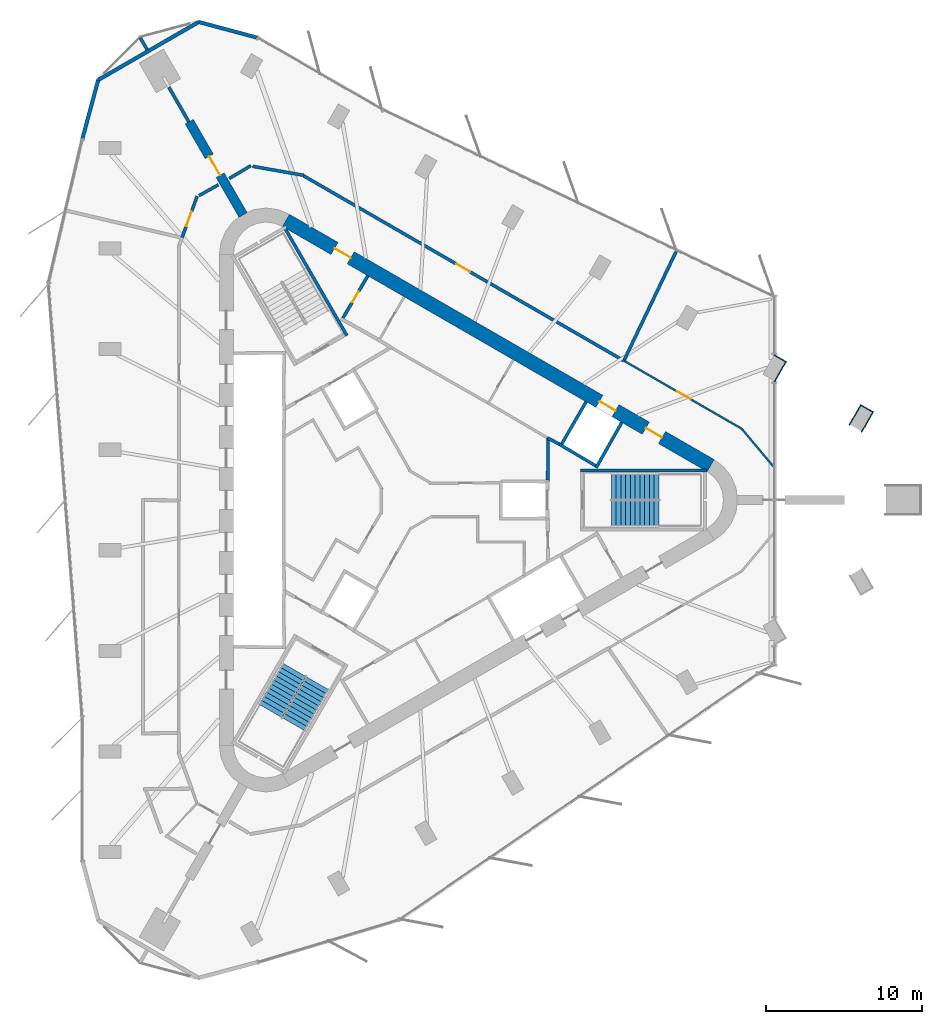
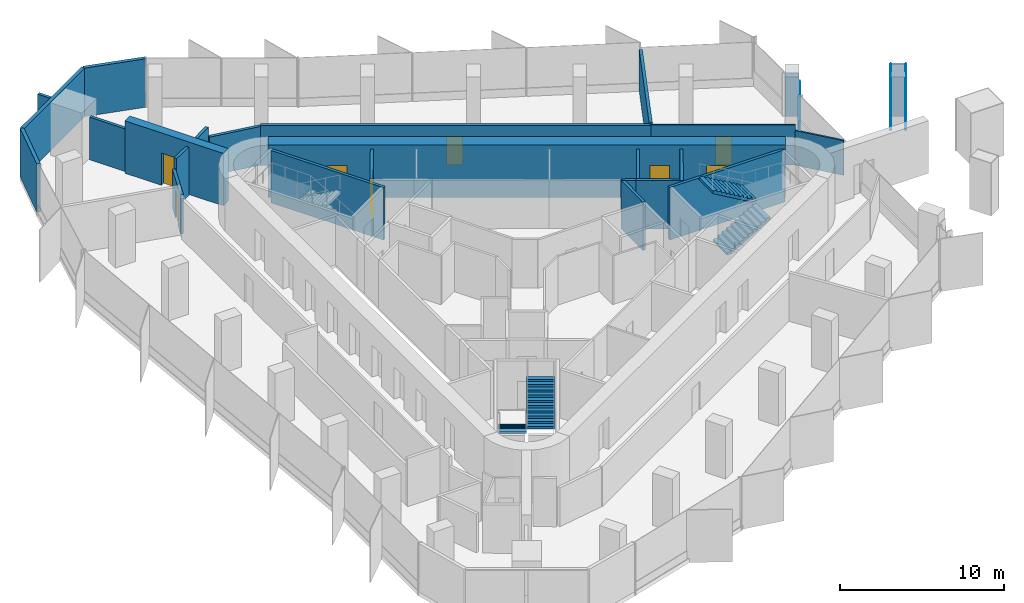
# One storey, part 10 of 12: 28 walls, 8 doors, 4 stair flights, 8 openings, 2 elements without a shape of their own.
"""IFC4 building model written with IfcOpenShell, lengths in metres."""

from ifc_helpers import new_model, si_unit, direction, frame, frame_2d, origin, place, context, subcontext, project, spatial, polyline, rectangle, outline, extrude, material, layer, layer_set, type_object, element, fill, aggregate, save


model = new_model("IFC4")

# Units and contexts
model_context = context("Model", 3, precision=1e-05, world=origin(), true_north=direction((0.0, 1.0)))
body_context = subcontext(model_context, "Body", "Model", "MODEL_VIEW")
ifc_project = project(units=[si_unit("LENGTHUNIT", "METRE"), si_unit("AREAUNIT", "SQUARE_METRE"), si_unit("VOLUMEUNIT", "CUBIC_METRE"), si_unit("PLANEANGLEUNIT", "RADIAN"), si_unit("MASSUNIT", "GRAM", prefix="KILO")], contexts=[model_context])

# Site, building, storey
site_placement = place(None, origin())
site = spatial("IfcSite", under=ifc_project, at=site_placement, CompositionType="ELEMENT")
building_placement = place(site_placement, origin())
building = spatial("IfcBuilding", under=site, at=building_placement, Name="Tanit Gate Tower", CompositionType="ELEMENT")
storey_placement = place(building_placement, frame((0.0, 0.0, 368.89990234375)))
storey = spatial("IfcBuildingStorey", under=building, at=storey_placement, Name="L84", CompositionType="ELEMENT", Elevation=368.89990234375)

# Wall, opening, door
ifc_material_1 = material(Name="Concrete C40/50", Category="concrete")
ifc_layer_1 = layer(ifc_material_1, 0.60009765625)
ifc_layer_set_1 = layer_set([ifc_layer_1], Name="BUTTRESS FIN 600 C40/50")
wall_type_1 = type_object("IfcWallType", Name="BUTTRESS FIN 600 C40/50", PredefinedType="SHEAR", material=ifc_layer_set_1)
wall_1_placement = place(storey_placement, frame((-10.574951171875, 18.31640625, 0.0), z_axis=(0.0, 0.0, 1.0), x_axis=(-0.499997253739, 0.866026989333, 0.0)))
wall_1 = element("IfcWall", 1, at=wall_1_placement, inside=storey, type_object=wall_type_1, Name="BUTTRESS FIN", PredefinedType="SHEAR", context=body_context, shape_type="SweptSolid", body=[
    extrude(rectangle(XDim=6.92138671875, YDim=0.60009765625, at=frame_2d((3.460693359375, 0.0))), origin(), (0.0, 0.0, 1.0), 3.900146484375),
])
opening_1_placement = place(wall_1_placement, frame((2.949951171875, 0.0, 0.0)))
opening_1 = element("IfcOpeningElement", 2, at=opening_1_placement, cuts=wall_1, Name="Opening P14-84-F-NW-1", PredefinedType="OPENING", context=body_context, shape_type="SweptSolid", body=[
    extrude(rectangle(XDim=1.39990234375, YDim=2.39990234375, at=frame_2d((0.699951171875, 1.199951171875))), frame((0.0, 0.31005859375, 0.0), z_axis=(0.0, -1.0, 0.0), x_axis=(1.0, 0.0, 0.0)), (0.0, 0.0, 1.0), 0.6201171875),
])
ifc_material_2 = material(Name="Timber door leaf", Category="wood")
door_type_1 = type_object("IfcDoorType", Name="INT-DOOR-FIN-PAIR-1400", OperationType="NOTDEFINED", PredefinedType="NOTDEFINED", material=ifc_material_2)
door_1_placement = place(opening_1_placement, origin())
door_1 = element("IfcDoor", 3, at=door_1_placement, inside=storey, type_object=door_type_1, Name="Door P14-84-F-NW-1", OperationType="DOUBLE_DOOR_SINGLE_SWING", OverallHeight=2.39990234375, OverallWidth=1.39990234375, PredefinedType="NOTDEFINED", context=body_context, shape_type="SweptSolid", body=[
    extrude(rectangle(XDim=1.39990234375, YDim=2.39990234375, at=frame_2d((0.699951171875, 1.199951171875))), frame((0.0, 0.02490234375, 0.0), z_axis=(0.0, -1.0, 0.0), x_axis=(1.0, 0.0, 0.0)), (0.0, 0.0, 1.0), 0.050048828125),
])
fill(opening_1, door_1)

# Wall, openings, doors
ifc_material_3 = material(Name="Concrete C40/50", Category="concrete")
ifc_layer_2 = layer(ifc_material_3, 0.89990234375)
ifc_layer_set_2 = layer_set([ifc_layer_2], Name="CORE WALL 900 C40/50")
wall_type_2 = type_object("IfcWallType", Name="CORE WALL 900 C40/50", PredefinedType="SHEAR", material=ifc_layer_set_2)
wall_2_placement = place(storey_placement, frame((19.47509765625, 2.20849609375, 0.0), z_axis=(0.0, 0.0, 1.0), x_axis=(-0.866028369851, 0.499994862586, 0.0)))
wall_2 = element("IfcWall", 4, at=wall_2_placement, inside=storey, type_object=wall_type_2, Name="CORE WALL", PredefinedType="SHEAR", context=body_context, shape_type="SweptSolid", body=[
    extrude(rectangle(XDim=31.523193359375, YDim=0.89990234375, at=frame_2d((15.76171875, 0.0))), origin(), (0.0, 0.0, 1.0), 3.900146484375),
])
opening_2_placement = place(wall_2_placement, frame((7.0615234375, 0.0, 0.0)))
opening_2 = element("IfcOpeningElement", 5, at=opening_2_placement, cuts=wall_2, Name="Opening LDHL8-84", PredefinedType="OPENING", context=body_context, shape_type="SweptSolid", body=[
    extrude(rectangle(XDim=1.199951171875, YDim=2.39990234375, at=frame_2d((0.60009765625, 1.199951171875))), frame((0.0, 0.4599609375, 0.0), z_axis=(0.0, -1.0, 0.0), x_axis=(1.0, 0.0, 0.0)), (0.0, 0.0, 1.0), 0.919921875),
])
opening_3_placement = place(wall_2_placement, frame((3.611572265625, 0.0, 0.0)))
opening_3 = element("IfcOpeningElement", 6, at=opening_3_placement, cuts=wall_2, Name="Opening F12-84-FL1", PredefinedType="OPENING", context=body_context, shape_type="SweptSolid", body=[
    extrude(rectangle(XDim=1.199951171875, YDim=2.39990234375, at=frame_2d((0.60009765625, 1.199951171875))), frame((0.0, 0.4599609375, 0.0), z_axis=(0.0, -1.0, 0.0), x_axis=(1.0, 0.0, 0.0)), (0.0, 0.0, 1.0), 0.919921875),
])
opening_4_placement = place(wall_2_placement, frame((26.711669921875, 0.0, 0.0)))
opening_4 = element("IfcOpeningElement", 7, at=opening_4_placement, cuts=wall_2, Name="Opening F12-84-S2", PredefinedType="OPENING", context=body_context, shape_type="SweptSolid", body=[
    extrude(rectangle(XDim=1.199951171875, YDim=2.39990234375, at=frame_2d((0.60009765625, 1.199951171875))), frame((0.0, 0.4599609375, 0.0), z_axis=(0.0, -1.0, 0.0), x_axis=(1.0, 0.0, 0.0)), (0.0, 0.0, 1.0), 0.919921875),
])
ifc_material_4 = material(Name="Fire-rated steel door leaf", Category="steel")
door_type_2 = type_object("IfcDoorType", Name="INT-DOOR-FIRE-LOBBY-1200", OperationType="NOTDEFINED", PredefinedType="USERDEFINED", material=ifc_material_4)
door_2_placement = place(opening_3_placement, origin())
door_2 = element("IfcDoor", 8, at=door_2_placement, inside=storey, type_object=door_type_2, Name="Door F12-84-FL1", ObjectType="FIRE DOOR", OperationType="SINGLE_SWING_LEFT", OverallHeight=2.39990234375, OverallWidth=1.199951171875, PredefinedType="USERDEFINED", context=body_context, shape_type="SweptSolid", body=[
    extrude(rectangle(XDim=1.199951171875, YDim=2.39990234375, at=frame_2d((0.60009765625, 1.199951171875))), frame((0.0, 0.02490234375, 0.0), z_axis=(0.0, -1.0, 0.0), x_axis=(1.0, 0.0, 0.0)), (0.0, 0.0, 1.0), 0.050048828125),
])
fill(opening_3, door_2)
door_3_placement = place(opening_4_placement, origin())
door_3 = element("IfcDoor", 9, at=door_3_placement, inside=storey, type_object=door_type_2, Name="Door F12-84-S2", ObjectType="FIRE DOOR", OperationType="SINGLE_SWING_LEFT", OverallHeight=2.39990234375, OverallWidth=1.199951171875, PredefinedType="USERDEFINED", context=body_context, shape_type="SweptSolid", body=[
    extrude(rectangle(XDim=1.199951171875, YDim=2.39990234375, at=frame_2d((0.60009765625, 1.199951171875))), frame((0.0, 0.02490234375, 0.0), z_axis=(0.0, -1.0, 0.0), x_axis=(1.0, 0.0, 0.0)), (0.0, 0.0, 1.0), 0.050048828125),
])
fill(opening_4, door_3)
ifc_material_5 = material(Name="Stainless steel sliding door leaf", Category="steel")
door_type_3 = type_object("IfcDoorType", Name="INT-DOOR-LANDING-1200", OperationType="NOTDEFINED", PredefinedType="USERDEFINED", material=ifc_material_5)
door_4_placement = place(opening_2_placement, origin())
door_4 = element("IfcDoor", 10, at=door_4_placement, inside=storey, type_object=door_type_3, Name="Door LDHL8-84", ObjectType="LANDING DOOR", OperationType="SLIDING_TO_LEFT", OverallHeight=2.39990234375, OverallWidth=1.199951171875, PredefinedType="USERDEFINED", context=body_context, shape_type="SweptSolid", body=[
    extrude(rectangle(XDim=1.199951171875, YDim=2.39990234375, at=frame_2d((0.60009765625, 1.199951171875))), frame((0.0, 0.02490234375, 0.0), z_axis=(0.0, -1.0, 0.0), x_axis=(1.0, 0.0, 0.0)), (0.0, 0.0, 1.0), 0.050048828125),
])
fill(opening_2, door_4)

# Walls
ifc_material_6 = material(Name="Bronze anodised aluminium cladding", Category="aluminium")
ifc_layer_3 = layer(ifc_material_6, 0.06005859375)
ifc_layer_set_3 = layer_set([ifc_layer_3], Name="Column casing bronze 60")
wall_type_3 = type_object("IfcWallType", Name="Column casing bronze 60", PredefinedType="SOLIDWALL", material=ifc_layer_set_3)
wall_3_placement = place(storey_placement, frame((28.378662109375, 4.81591796875, 0.0), z_axis=(0.0, 0.0, 1.0), x_axis=(0.500060803479, 0.865990296034, 0.0)))
element("IfcWall", 11, at=wall_3_placement, inside=storey, type_object=wall_type_3, Name="Column casing L84 P-NE1.L1", PredefinedType="SOLIDWALL", context=body_context, shape_type="SweptSolid", body=[
    extrude(rectangle(XDim=1.519775390625, YDim=0.06005859375, at=frame_2d((0.759765625, 0.0))), origin(), (0.0, 0.0, 1.0), 3.900146484375),
])
wall_4_placement = place(storey_placement, frame((29.16650390625, 4.36083984375, 0.0), z_axis=(0.0, 0.0, 1.0), x_axis=(0.499991248344, 0.866030456496, 0.0)))
element("IfcWall", 12, at=wall_4_placement, inside=storey, type_object=wall_type_3, Name="Column casing L84 P-NE1.L2", PredefinedType="SOLIDWALL", context=body_context, shape_type="SweptSolid", body=[
    extrude(rectangle(XDim=1.52001953125, YDim=0.06005859375, at=frame_2d((0.760009765625, 0.0))), origin(), (0.0, 0.0, 1.0), 3.900146484375),
])
wall_5_placement = place(storey_placement, frame((29.8857421875, 5.666259765625, 0.0), z_axis=(0.0, 0.0, 1.0), x_axis=(-0.866061263272, 0.499937884402, 0.0)))
element("IfcWall", 13, at=wall_5_placement, inside=storey, type_object=wall_type_3, Name="Column casing L84 P-NE1.S1", PredefinedType="SOLIDWALL", context=body_context, shape_type="SweptSolid", body=[
    extrude(rectangle(XDim=0.85009765625, YDim=0.06005859375, at=frame_2d((0.425048828125, 0.0))), origin(), (0.0, 0.0, 1.0), 3.900146484375),
])
wall_6_placement = place(storey_placement, frame((23.568603515625, 7.5927734375, 0.0), z_axis=(0.0, 0.0, 1.0), x_axis=(0.499991248344, 0.866030456496, 0.0)))
element("IfcWall", 14, at=wall_6_placement, inside=storey, type_object=wall_type_3, Name="Column casing L84 P-NE2.L2", PredefinedType="SOLIDWALL", context=body_context, shape_type="SweptSolid", body=[
    extrude(rectangle(XDim=1.52001953125, YDim=0.06005859375, at=frame_2d((0.760009765625, 0.0))), origin(), (0.0, 0.0, 1.0), 2.610107421875),
])
wall_7_placement = place(storey_placement, frame((24.287841796875, 8.898193359375, 0.0), z_axis=(0.0, 0.0, 1.0), x_axis=(-0.866061263272, 0.499937884402, 0.0)))
element("IfcWall", 15, at=wall_7_placement, inside=storey, type_object=wall_type_3, Name="Column casing L84 P-NE2.S1", PredefinedType="SOLIDWALL", context=body_context, shape_type="SweptSolid", body=[
    extrude(rectangle(XDim=0.85009765625, YDim=0.06005859375, at=frame_2d((0.425048828125, 0.0))), origin(), (0.0, 0.0, 1.0), 3.210205078125),
])
ifc_material_7 = material(Name="Concrete C30/37 with bronze anodised aluminium cladding", Category="concrete")
ifc_layer_4 = layer(ifc_material_7, 0.239990234375)
ifc_layer_set_4 = layer_set([ifc_layer_4], Name="Facade wall bronze clad 240")
wall_type_4 = type_object("IfcWallType", Name="Facade wall bronze clad 240", PredefinedType="SOLIDWALL", material=ifc_layer_set_4)
wall_8_placement = place(storey_placement, frame((-9.671875, 29.71728515625, 0.0), z_axis=(0.0, 0.0, 1.0), x_axis=(-0.965934865273, 0.2587853088, 0.0)))
element("IfcWall", 16, at=wall_8_placement, inside=storey, type_object=wall_type_4, Name="Bronze-clad facade wall L84 NW.arc1", PredefinedType="SOLIDWALL", context=body_context, shape_type="SweptSolid", body=[
    extrude(rectangle(XDim=3.884033203125, YDim=0.239990234375, at=frame_2d((1.94189453125, 0.0))), origin(), (0.0, 0.0, 1.0), 3.60009765625),
])
wall_9_placement = place(storey_placement, frame((-13.423583984375, 30.722412109375, 0.0), z_axis=(0.0, 0.0, 1.0), x_axis=(-0.866034867299, -0.499983608354, 0.0)))
element("IfcWall", 17, at=wall_9_placement, inside=storey, type_object=wall_type_4, Name="Bronze-clad facade wall L84 NW.arc2", PredefinedType="SOLIDWALL", context=body_context, shape_type="SweptSolid", body=[
    extrude(rectangle(XDim=7.471923828125, YDim=0.239990234375, at=frame_2d((3.73583984375, 0.0))), origin(), (0.0, 0.0, 1.0), 3.60009765625),
])
wall_10_placement = place(storey_placement, frame((-19.89453125, 26.986572265625, 0.0), z_axis=(0.0, 0.0, 1.0), x_axis=(-0.258843563882, -0.965919256169, 0.0)))
element("IfcWall", 18, at=wall_10_placement, inside=storey, type_object=wall_type_4, Name="Bronze-clad facade wall L84 NW.arc3", PredefinedType="SOLIDWALL", context=body_context, shape_type="SweptSolid", body=[
    extrude(rectangle(XDim=3.898193359375, YDim=0.239990234375, at=frame_2d((1.94921875, 0.0))), origin(), (0.0, 0.0, 1.0), 3.60009765625),
])
ifc_material_8 = material(Name="Fire-rated gypsum board partition")
ifc_layer_5 = layer(ifc_material_8, 0.199951171875)
ifc_layer_set_5 = layer_set([ifc_layer_5], Name="INT-WALL-COMPARTMENT")
wall_type_5 = type_object("IfcWallType", Name="INT-WALL-COMPARTMENT", PredefinedType="PARTITIONING", material=ifc_layer_set_5)
wall_11_placement = place(storey_placement, frame((8.97412109375, 3.998779296875, 0.0), z_axis=(0.0, 0.0, 1.0), x_axis=(0.880917147855, -0.473270513147, 0.0)))
element("IfcWall", 19, at=wall_11_placement, inside=storey, type_object=wall_type_5, Name="Wall Compartment W048", PredefinedType="PARTITIONING", context=body_context, shape_type="SweptSolid", body=[
    extrude(rectangle(XDim=0.8779296875, YDim=0.199951171875, at=frame_2d((0.43896484375, 0.0))), origin(), (0.0, 0.0, 1.0), 3.60009765625),
])

# Wall, opening, door
wall_12_placement = place(storey_placement, frame((-2.557861328125, 14.409423828125, 0.0), z_axis=(0.0, 0.0, 1.0), x_axis=(-0.508018930956, -0.861345903683, 0.0)))
wall_12 = element("IfcWall", 20, at=wall_12_placement, inside=storey, type_object=wall_type_5, Name="Wall Compartment W054", PredefinedType="PARTITIONING", context=body_context, shape_type="SweptSolid", body=[
    extrude(rectangle(XDim=3.150146484375, YDim=0.199951171875, at=frame_2d((1.5751953125, 0.0))), origin(), (0.0, 0.0, 1.0), 3.60009765625),
])
opening_5_placement = place(wall_12_placement, frame((1.175048828125, 0.0, 0.0)))
opening_5 = element("IfcOpeningElement", 21, at=opening_5_placement, cuts=wall_12, Name="Opening R08-84-15", PredefinedType="OPENING", context=body_context, shape_type="SweptSolid", body=[
    extrude(rectangle(XDim=0.800048828125, YDim=2.10009765625, at=frame_2d((0.39990234375, 1.050048828125))), frame((0.0, 0.10986328125, 0.0), z_axis=(0.0, -1.0, 0.0), x_axis=(1.0, 0.0, 0.0)), (0.0, 0.0, 1.0), 0.219970703125),
])
ifc_material_9 = material(Name="Timber door leaf", Category="wood")
door_type_4 = type_object("IfcDoorType", Name="INT-DOOR-RISER-800", OperationType="NOTDEFINED", PredefinedType="USERDEFINED", material=ifc_material_9)
door_5_placement = place(opening_5_placement, origin())
door_5 = element("IfcDoor", 22, at=door_5_placement, inside=storey, type_object=door_type_4, Name="Door R08-84-15", ObjectType="FIRE DOOR", OperationType="SINGLE_SWING_RIGHT", OverallHeight=2.10009765625, OverallWidth=0.800048828125, PredefinedType="USERDEFINED", context=body_context, shape_type="SweptSolid", body=[
    extrude(rectangle(XDim=0.800048828125, YDim=2.10009765625, at=frame_2d((0.39990234375, 1.050048828125))), frame((0.0, 0.02490234375, 0.0), z_axis=(0.0, -1.0, 0.0), x_axis=(1.0, 0.0, 0.0)), (0.0, 0.0, 1.0), 0.050048828125),
])
fill(opening_5, door_5)

# Wall
wall_13_placement = place(storey_placement, frame((9.0009765625, 1.27001953125, 0.0), z_axis=(0.0, 0.0, 1.0), x_axis=(0.01074821465, 0.999942236273, 0.0)))
element("IfcWall", 23, at=wall_13_placement, inside=storey, type_object=wall_type_5, Name="Wall Compartment W062", PredefinedType="PARTITIONING", context=body_context, shape_type="SweptSolid", body=[
    extrude(rectangle(XDim=2.725830078125, YDim=0.199951171875, at=frame_2d((1.36279296875, 0.0))), origin(), (0.0, 0.0, 1.0), 3.60009765625),
])

# Wall, opening, door
wall_14_placement = place(storey_placement, frame((-13.527099609375, 19.522216796875, 0.0), z_axis=(0.0, 0.0, 1.0), x_axis=(-0.34199343996, -0.939702339586, 0.0)))
wall_14 = element("IfcWall", 24, at=wall_14_placement, inside=storey, type_object=wall_type_5, Name="Wall Compartment W087", PredefinedType="PARTITIONING", context=body_context, shape_type="SweptSolid", body=[
    extrude(rectangle(XDim=2.818359375, YDim=0.199951171875, at=frame_2d((1.4091796875, 0.0))), origin(), (0.0, 0.0, 1.0), 2.880126953125),
])
opening_6_placement = place(wall_14_placement, frame((1.037109375, 0.0, 0.0)))
opening_6 = element("IfcOpeningElement", 25, at=opening_6_placement, cuts=wall_14, Name="Opening F10-84-19", PredefinedType="OPENING", context=body_context, shape_type="SweptSolid", body=[
    extrude(rectangle(XDim=1.0, YDim=2.10009765625, at=frame_2d((0.5, 1.050048828125))), frame((0.0, 0.10986328125, 0.0), z_axis=(0.0, -1.0, 0.0), x_axis=(1.0, 0.0, 0.0)), (0.0, 0.0, 1.0), 0.219970703125),
])
ifc_material_10 = material(Name="Fire-rated steel door leaf", Category="steel")
door_type_5 = type_object("IfcDoorType", Name="INT-DOOR-FIRE-1000", OperationType="NOTDEFINED", PredefinedType="USERDEFINED", material=ifc_material_10)
door_6_placement = place(opening_6_placement, origin())
door_6 = element("IfcDoor", 26, at=door_6_placement, inside=storey, type_object=door_type_5, Name="Door F10-84-19", ObjectType="FIRE DOOR", OperationType="SINGLE_SWING_RIGHT", OverallHeight=2.10009765625, OverallWidth=1.0, PredefinedType="USERDEFINED", context=body_context, shape_type="SweptSolid", body=[
    extrude(rectangle(XDim=1.0, YDim=2.10009765625, at=frame_2d((0.5, 1.050048828125))), frame((0.0, 0.02490234375, 0.0), z_axis=(0.0, -1.0, 0.0), x_axis=(1.0, 0.0, 0.0)), (0.0, 0.0, 1.0), 0.050048828125),
])
fill(opening_6, door_6)

# Walls
wall_15_placement = place(storey_placement, frame((-12.157470703125, 20.257568359375, 0.0), z_axis=(0.0, 0.0, 1.0), x_axis=(-0.8734797986, -0.486860392143, 0.0)))
element("IfcWall", 27, at=wall_15_placement, inside=storey, type_object=wall_type_5, Name="Wall Compartment W088", PredefinedType="PARTITIONING", context=body_context, shape_type="SweptSolid", body=[
    extrude(rectangle(XDim=1.4296875, YDim=0.199951171875, at=frame_2d((0.71484375, 0.0))), origin(), (0.0, 0.0, 1.0), 3.60009765625),
])
wall_16_placement = place(storey_placement, frame((-17.181640625, 29.699462890625, 0.0), z_axis=(0.0, 0.0, 1.0), x_axis=(0.499988720078, -0.866031916153, 0.0)))
element("IfcWall", 28, at=wall_16_placement, inside=storey, type_object=wall_type_5, Name="Wall Compartment W099", PredefinedType="PARTITIONING", context=body_context, shape_type="SweptSolid", body=[
    extrude(rectangle(XDim=0.873046875, YDim=0.199951171875, at=frame_2d((0.4365234375, 0.0))), origin(), (0.0, 0.0, 1.0), 3.60009765625),
])
wall_17_placement = place(storey_placement, frame((-15.347900390625, 26.523193359375, 0.0), z_axis=(0.0, 0.0, 1.0), x_axis=(0.500018234033, -0.866014876105, 0.0)))
element("IfcWall", 29, at=wall_17_placement, inside=storey, type_object=wall_type_5, Name="Wall Compartment W100", PredefinedType="PARTITIONING", context=body_context, shape_type="SweptSolid", body=[
    extrude(rectangle(XDim=2.572265625, YDim=0.199951171875, at=frame_2d((1.2861328125, 0.0))), origin(), (0.0, 0.0, 1.0), 3.170166015625),
])
wall_18_placement = place(storey_placement, frame((-10.074462890625, 21.488525390625, 0.0), z_axis=(0.0, 0.0, 1.0), x_axis=(-0.858356144718, -0.513054313718, 0.0)))
element("IfcWall", 30, at=wall_18_placement, inside=storey, type_object=wall_type_5, Name="Wall Compartment W109", PredefinedType="PARTITIONING", context=body_context, shape_type="SweptSolid", body=[
    extrude(rectangle(XDim=1.619873046875, YDim=0.199951171875, at=frame_2d((0.81005859375, 0.0))), origin(), (0.0, 0.0, 1.0), 3.60009765625),
])
wall_19_placement = place(storey_placement, frame((-6.667236328125, 20.863037109375, 0.0), z_axis=(0.0, 0.0, 1.0), x_axis=(-0.984809308694, 0.173639354725, 0.0)))
element("IfcWall", 31, at=wall_19_placement, inside=storey, type_object=wall_type_5, Name="Wall Compartment W110", PredefinedType="PARTITIONING", context=body_context, shape_type="SweptSolid", body=[
    extrude(rectangle(XDim=3.33935546875, YDim=0.199951171875, at=frame_2d((1.669677734375, 0.0))), origin(), (0.0, 0.0, 1.0), 2.880126953125),
])

# Wall, opening, door
wall_20_placement = place(storey_placement, frame((13.91845703125, 8.938232421875, 0.0), z_axis=(0.0, 0.0, 1.0), x_axis=(-0.866024903792, 0.500000866012, 0.0)))
wall_20 = element("IfcWall", 32, at=wall_20_placement, inside=storey, type_object=wall_type_5, Name="Wall Compartment W111", PredefinedType="PARTITIONING", context=body_context, shape_type="SweptSolid", body=[
    extrude(rectangle(XDim=23.7841796875, YDim=0.199951171875, at=frame_2d((11.89208984375, 0.0))), origin(), (0.0, 0.0, 1.0), 2.97021484375),
])
opening_7_placement = place(wall_20_placement, frame((11.456298828125, 0.0, 0.0)))
opening_7 = element("IfcOpeningElement", 33, at=opening_7_placement, cuts=wall_20, Name="Opening F10-84-23", PredefinedType="OPENING", context=body_context, shape_type="SweptSolid", body=[
    extrude(rectangle(XDim=1.0, YDim=2.10009765625, at=frame_2d((0.5, 1.050048828125))), frame((0.0, 0.10986328125, 0.0), z_axis=(0.0, -1.0, 0.0), x_axis=(1.0, 0.0, 0.0)), (0.0, 0.0, 1.0), 0.219970703125),
])
door_7_placement = place(opening_7_placement, origin())
door_7 = element("IfcDoor", 34, at=door_7_placement, inside=storey, type_object=door_type_5, Name="Door F10-84-23", ObjectType="FIRE DOOR", OperationType="SINGLE_SWING_RIGHT", OverallHeight=2.10009765625, OverallWidth=1.0, PredefinedType="USERDEFINED", context=body_context, shape_type="SweptSolid", body=[
    extrude(rectangle(XDim=1.0, YDim=2.10009765625, at=frame_2d((0.5, 1.050048828125))), frame((0.0, 0.02490234375, 0.0), z_axis=(0.0, -1.0, 0.0), x_axis=(1.0, 0.0, 0.0)), (0.0, 0.0, 1.0), 0.050048828125),
])
fill(opening_7, door_7)

# Wall
wall_21_placement = place(storey_placement, frame((13.923583984375, 9.004638671875, 0.0), z_axis=(0.0, 0.0, 1.0), x_axis=(0.431214181917, 0.90224959369, 0.0)))
element("IfcWall", 35, at=wall_21_placement, inside=storey, type_object=wall_type_5, Name="Wall Compartment W112", PredefinedType="PARTITIONING", context=body_context, shape_type="SweptSolid", body=[
    extrude(rectangle(XDim=7.8046875, YDim=0.199951171875, at=frame_2d((3.90234375, 0.0))), origin(), (0.0, 0.0, 1.0), 3.070068359375),
])

# Wall, opening, door
ifc_material_11 = material(Name="Gypsum board partition")
ifc_layer_6 = layer(ifc_material_11, 0.1201171875)
ifc_layer_set_6 = layer_set([ifc_layer_6], Name="INT-WALL-PARTITION")
wall_type_6 = type_object("IfcWallType", Name="INT-WALL-PARTITION", PredefinedType="PARTITIONING", material=ifc_layer_set_6)
wall_22_placement = place(storey_placement, frame((21.517822265625, 4.55078125, 0.0), z_axis=(0.0, 0.0, 1.0), x_axis=(-0.866027594353, 0.499996205806, 0.0)))
wall_22 = element("IfcWall", 36, at=wall_22_placement, inside=storey, type_object=wall_type_6, Name="Wall Partition W107", PredefinedType="PARTITIONING", context=body_context, shape_type="SweptSolid", body=[
    extrude(rectangle(XDim=8.77490234375, YDim=0.1201171875, at=frame_2d((4.387451171875, 0.0))), origin(), (0.0, 0.0, 1.0), 2.97021484375),
])
opening_8_placement = place(wall_22_placement, frame((3.860107421875, 0.0, 0.0)))
opening_8 = element("IfcOpeningElement", 37, at=opening_8_placement, cuts=wall_22, Name="Opening D10-84-22", PredefinedType="OPENING", context=body_context, shape_type="SweptSolid", body=[
    extrude(rectangle(XDim=1.0, YDim=2.10009765625, at=frame_2d((0.5, 1.050048828125))), frame((0.0, 0.070068359375, 0.0), z_axis=(0.0, -1.0, 0.0), x_axis=(1.0, 0.0, 0.0)), (0.0, 0.0, 1.0), 0.14013671875),
])
ifc_material_12 = material(Name="Timber door leaf", Category="wood")
door_type_6 = type_object("IfcDoorType", Name="INT-DOOR-SINGLE-1000", OperationType="NOTDEFINED", PredefinedType="NOTDEFINED", material=ifc_material_12)
door_8_placement = place(opening_8_placement, origin())
door_8 = element("IfcDoor", 38, at=door_8_placement, inside=storey, type_object=door_type_6, Name="Door D10-84-22", OperationType="SINGLE_SWING_RIGHT", OverallHeight=2.10009765625, OverallWidth=1.0, PredefinedType="NOTDEFINED", context=body_context, shape_type="SweptSolid", body=[
    extrude(rectangle(XDim=1.0, YDim=2.10009765625, at=frame_2d((0.5, 1.050048828125))), frame((0.0, 0.02490234375, 0.0), z_axis=(0.0, -1.0, 0.0), x_axis=(1.0, 0.0, 0.0)), (0.0, 0.0, 1.0), 0.050048828125),
])
fill(opening_8, door_8)

# Walls
wall_23_placement = place(storey_placement, frame((23.52001953125, 2.1328125, 0.0), z_axis=(0.0, 0.0, 1.0), x_axis=(-0.642792120468, 0.766040658101, 0.0)))
element("IfcWall", 39, at=wall_23_placement, inside=storey, type_object=wall_type_6, Name="Wall Partition W108", PredefinedType="PARTITIONING", context=body_context, shape_type="SweptSolid", body=[
    extrude(rectangle(XDim=3.1357421875, YDim=0.1201171875, at=frame_2d((1.56787109375, 0.0))), origin(), (0.0, 0.0, 1.0), 2.580078125),
])
ifc_material_13 = material(Name="Gypsum shaft wall system")
ifc_layer_7 = layer(ifc_material_13, 0.199951171875)
ifc_layer_set_7 = layer_set([ifc_layer_7], Name="INT-WALL-SHAFT")
wall_type_7 = type_object("IfcWallType", Name="INT-WALL-SHAFT", PredefinedType="PLUMBINGWALL", material=ifc_layer_set_7)
wall_24_placement = place(storey_placement, frame((9.8466796875, 3.494873046875, 0.0), z_axis=(0.0, 0.0, 1.0), x_axis=(0.499984717929, 0.866034226713, 0.0)))
element("IfcWall", 40, at=wall_24_placement, inside=storey, type_object=wall_type_7, Name="Wall Shaft W012", PredefinedType="PLUMBINGWALL", context=body_context, shape_type="SweptSolid", body=[
    extrude(rectangle(XDim=3.25, YDim=0.199951171875, at=frame_2d((1.625, 0.0))), origin(), (0.0, 0.0, 1.0), 3.60009765625),
])
wall_25_placement = place(storey_placement, frame((12.10986328125, 2.07275390625, 0.0), z_axis=(0.0, 0.0, 1.0), x_axis=(0.49196600604, 0.870614408852, 0.0)))
element("IfcWall", 41, at=wall_25_placement, inside=storey, type_object=wall_type_7, Name="Wall Shaft W013", PredefinedType="PLUMBINGWALL", context=body_context, shape_type="SweptSolid", body=[
    extrude(rectangle(XDim=3.35009765625, YDim=0.199951171875, at=frame_2d((1.675048828125, 0.0))), origin(), (0.0, 0.0, 1.0), 3.60009765625),
])
wall_26_placement = place(storey_placement, frame((12.072998046875, 2.2109375, 0.0), z_axis=(0.0, 0.0, 1.0), x_axis=(-0.860414880418, 0.509594185166, 0.0)))
element("IfcWall", 42, at=wall_26_placement, inside=storey, type_object=wall_type_7, Name="Wall Shaft W014", PredefinedType="PLUMBINGWALL", context=body_context, shape_type="SweptSolid", body=[
    extrude(rectangle(XDim=2.7001953125, YDim=0.199951171875, at=frame_2d((1.35009765625, 0.0))), origin(), (0.0, 0.0, 1.0), 3.60009765625),
])
ifc_material_14 = material(Name="Concrete C40/50", Category="concrete")
ifc_layer_8 = layer(ifc_material_14, 0.199951171875)
ifc_layer_set_8 = layer_set([ifc_layer_8], Name="INT-WALL-STAIR")
wall_type_8 = type_object("IfcWallType", Name="INT-WALL-STAIR", PredefinedType="SHEAR", material=ifc_layer_set_8)
wall_27_placement = place(storey_placement, frame((19.199951171875, 1.89990234375, -0.2998046875), z_axis=(0.0, 0.0, 1.0), x_axis=(-1.0, 0.0, 0.0)))
element("IfcWall", 43, at=wall_27_placement, inside=storey, type_object=wall_type_8, Name="Wall Stair W020", PredefinedType="SHEAR", context=body_context, shape_type="SweptSolid", body=[
    extrude(rectangle(XDim=8.099853515625, YDim=0.199951171875, at=frame_2d((4.0498046875, 0.0))), origin(), (0.0, 0.0, 1.0), 3.89990234375),
])
wall_28_placement = place(storey_placement, frame((-7.8544921875, 17.404541015625, -0.2998046875), z_axis=(0.0, 0.0, 1.0), x_axis=(0.499997992926, -0.866026562566, 0.0)))
element("IfcWall", 44, at=wall_28_placement, inside=storey, type_object=wall_type_8, Name="Wall Stair W032", PredefinedType="SHEAR", context=body_context, shape_type="SweptSolid", body=[
    extrude(rectangle(XDim=7.89990234375, YDim=0.199951171875, at=frame_2d((3.949951171875, 0.0))), origin(), (0.0, 0.0, 1.0), 3.89990234375),
])

# Stair, stair flights
ifc_material_15 = material(Name="Concrete C40/50", Category="concrete")
stair_type = type_object("IfcStairType", Name="INT-STAIR-EXIT", PredefinedType="HALF_TURN_STAIR", material=ifc_material_15)
stair_1_placement = place(storey_placement, origin())
stair_1 = element("IfcStair", 45, at=stair_1_placement, inside=storey, type_object=stair_type, Name="L84 STAIR S1", PredefinedType="HALF_TURN_STAIR")
ifc_material_16 = material(Name="Concrete C40/50", Category="concrete")
stair_flight_type = type_object("IfcStairFlightType", Name="INT-STAIR-FLIGHT", PredefinedType="STRAIGHT", material=ifc_material_16)
stair_flight_1_placement = place(storey_placement, frame((13.094970703125, -0.8525390625, 0.0), z_axis=(0.0, 0.0, 1.0), x_axis=(1.0, 0.0, 0.0)))
stair_flight_1 = element("IfcStairFlight", 46, at=stair_flight_1_placement, type_object=stair_flight_type, Name="S1 flight 1", NumberOfRisers=11, NumberOfTreads=10, PredefinedType="STRAIGHT", RiserHeight=0.177272727, TreadLength=0.3051, context=body_context, shape_type="SweptSolid", body=[
    extrude(outline(polyline([(0.0, 0.0), (0.0, 0.17724609375), (0.30517578125, 0.17724609375), (0.30517578125, 0.3544921875), (0.610107421875, 0.3544921875), (0.610107421875, 0.53173828125), (0.915283203125, 0.53173828125), (0.915283203125, 0.708984375), (1.220458984375, 0.708984375), (1.220458984375, 0.886474609375), (1.525390625, 0.886474609375), (1.525390625, 1.063720703125), (1.83056640625, 1.063720703125), (1.83056640625, 1.240966796875), (2.1357421875, 1.240966796875), (2.1357421875, 1.418212890625), (2.44091796875, 1.418212890625), (2.44091796875, 1.595458984375), (2.745849609375, 1.595458984375), (2.745849609375, 1.772705078125), (3.051025390625, 1.772705078125), (3.051025390625, 1.949951171875), (3.051025390625, 1.599365234375), (0.29833984375, 0.0), (0.0, 0.0)])), frame((0.0, 0.84765625, 0.0), z_axis=(0.0, -1.0, 0.0), x_axis=(1.0, 0.0, 0.0)), (0.0, 0.0, 1.0), 1.695068359375),
])
stair_flight_2_placement = place(storey_placement, frame((16.14599609375, 0.8525390625, 1.9501953125), z_axis=(0.0, 0.0, 1.0), x_axis=(-1.0, 0.0, 0.0)))
stair_flight_2 = element("IfcStairFlight", 47, at=stair_flight_2_placement, type_object=stair_flight_type, Name="S1 flight 2", NumberOfRisers=11, NumberOfTreads=10, PredefinedType="STRAIGHT", RiserHeight=0.177272727, TreadLength=0.3051, context=body_context, shape_type="SweptSolid", body=[
    extrude(outline(polyline([(0.0, 0.0), (0.0, 0.17724609375), (0.30517578125, 0.17724609375), (0.30517578125, 0.3544921875), (0.610107421875, 0.3544921875), (0.610107421875, 0.53173828125), (0.915283203125, 0.53173828125), (0.915283203125, 0.708984375), (1.220458984375, 0.708984375), (1.220458984375, 0.886474609375), (1.525390625, 0.886474609375), (1.525390625, 1.063720703125), (1.83056640625, 1.063720703125), (1.83056640625, 1.240966796875), (2.1357421875, 1.240966796875), (2.1357421875, 1.418212890625), (2.44091796875, 1.418212890625), (2.44091796875, 1.595458984375), (2.745849609375, 1.595458984375), (2.745849609375, 1.772705078125), (3.051025390625, 1.772705078125), (3.051025390625, 1.949951171875), (3.051025390625, 1.599365234375), (0.29833984375, 0.0), (0.0, 0.0)])), frame((0.0, 0.84765625, 0.0), z_axis=(0.0, -1.0, 0.0), x_axis=(1.0, 0.0, 0.0)), (0.0, 0.0, 1.0), 1.695068359375),
])
aggregate(stair_1, [stair_flight_1, stair_flight_2])

stair_2_placement = place(storey_placement, origin())
stair_2 = element("IfcStair", 48, at=stair_2_placement, inside=storey, type_object=stair_type, Name="L84 STAIR S3", PredefinedType="HALF_TURN_STAIR")
stair_flight_3_placement = place(storey_placement, frame((-7.285888671875, -10.914306640625, 0.0), z_axis=(0.0, 0.0, 1.0), x_axis=(-0.5, -0.866025403784, 0.0)))
stair_flight_3 = element("IfcStairFlight", 49, at=stair_flight_3_placement, type_object=stair_flight_type, Name="S3 flight 1", NumberOfRisers=11, NumberOfTreads=10, PredefinedType="STRAIGHT", RiserHeight=0.177272727, TreadLength=0.3051, context=body_context, shape_type="SweptSolid", body=[
    extrude(outline(polyline([(0.0, 0.0), (0.0, 0.17724609375), (0.30517578125, 0.17724609375), (0.30517578125, 0.3544921875), (0.610107421875, 0.3544921875), (0.610107421875, 0.53173828125), (0.915283203125, 0.53173828125), (0.915283203125, 0.708984375), (1.220458984375, 0.708984375), (1.220458984375, 0.886474609375), (1.525390625, 0.886474609375), (1.525390625, 1.063720703125), (1.83056640625, 1.063720703125), (1.83056640625, 1.240966796875), (2.1357421875, 1.240966796875), (2.1357421875, 1.418212890625), (2.44091796875, 1.418212890625), (2.44091796875, 1.595458984375), (2.745849609375, 1.595458984375), (2.745849609375, 1.772705078125), (3.051025390625, 1.772705078125), (3.051025390625, 1.949951171875), (3.051025390625, 1.599365234375), (0.29833984375, 0.0), (0.0, 0.0)])), frame((0.0, 0.84765625, 0.0), z_axis=(0.0, -1.0, 0.0), x_axis=(1.0, 0.0, 0.0)), (0.0, 0.0, 1.0), 1.695068359375),
])
stair_flight_4_placement = place(storey_placement, frame((-7.334716796875, -14.4091796875, 1.9501953125), z_axis=(0.0, 0.0, 1.0), x_axis=(0.5, 0.866025403784, 0.0)))
stair_flight_4 = element("IfcStairFlight", 50, at=stair_flight_4_placement, type_object=stair_flight_type, Name="S3 flight 2", NumberOfRisers=11, NumberOfTreads=10, PredefinedType="STRAIGHT", RiserHeight=0.177272727, TreadLength=0.3051, context=body_context, shape_type="SweptSolid", body=[
    extrude(outline(polyline([(0.0, 0.0), (0.0, 0.17724609375), (0.30517578125, 0.17724609375), (0.30517578125, 0.3544921875), (0.610107421875, 0.3544921875), (0.610107421875, 0.53173828125), (0.915283203125, 0.53173828125), (0.915283203125, 0.708984375), (1.220458984375, 0.708984375), (1.220458984375, 0.886474609375), (1.525390625, 0.886474609375), (1.525390625, 1.063720703125), (1.83056640625, 1.063720703125), (1.83056640625, 1.240966796875), (2.1357421875, 1.240966796875), (2.1357421875, 1.418212890625), (2.44091796875, 1.418212890625), (2.44091796875, 1.595458984375), (2.745849609375, 1.595458984375), (2.745849609375, 1.772705078125), (3.051025390625, 1.772705078125), (3.051025390625, 1.949951171875), (3.051025390625, 1.599365234375), (0.29833984375, 0.0), (0.0, 0.0)])), frame((0.0, 0.84765625, 0.0), z_axis=(0.0, -1.0, 0.0), x_axis=(1.0, 0.0, 0.0)), (0.0, 0.0, 1.0), 1.695068359375),
])
aggregate(stair_2, [stair_flight_3, stair_flight_4])

save(model, "model.ifc")
